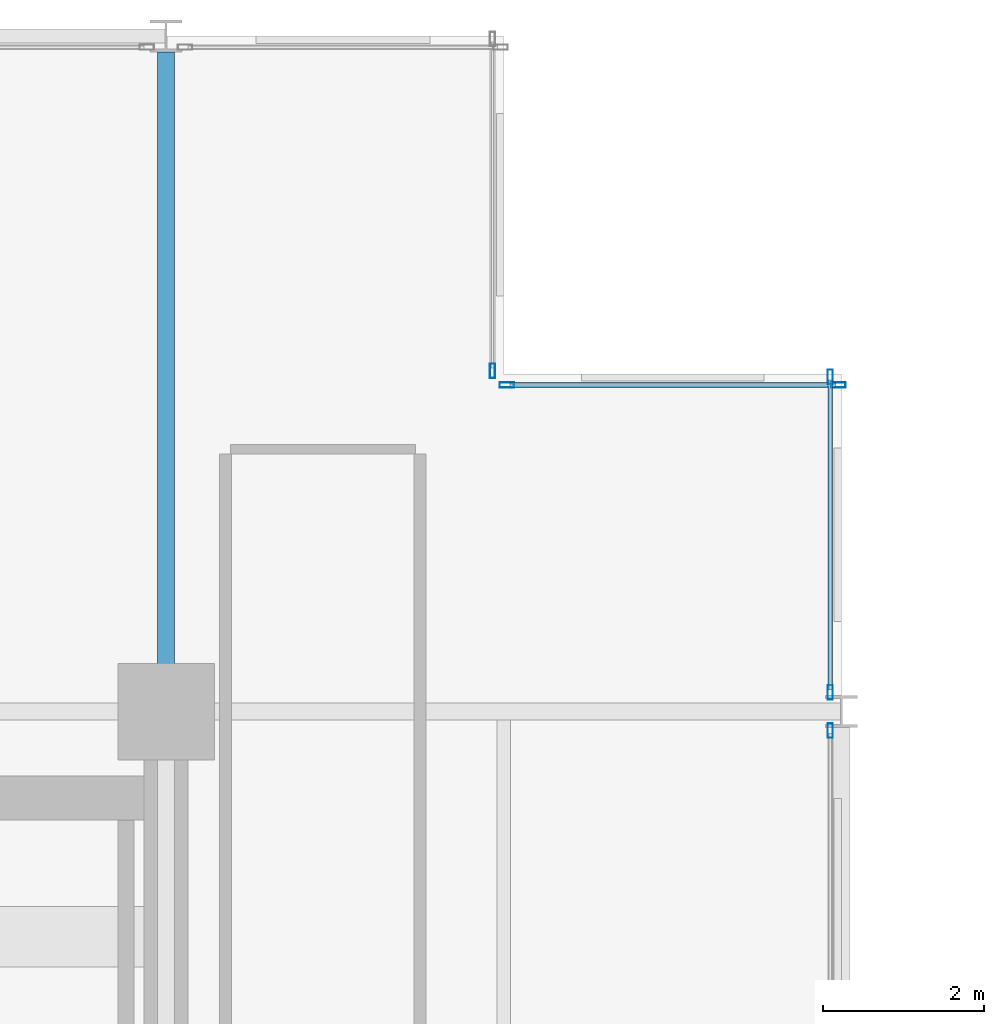
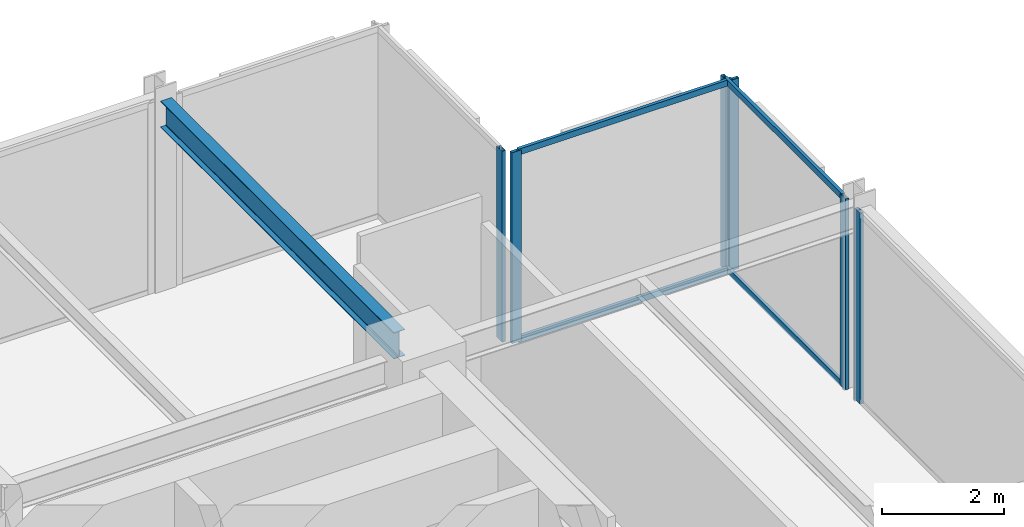
# One storey, part 28 of 38: 10 members, 1 beam, 4 elements without a shape of their own.
"""IFC4 building model written with IfcOpenShell, lengths in metres."""

from ifc_helpers import new_model, si_unit, direction, frame, origin, origin_2d, place, context, subcontext, project, spatial, hollow_rectangle, i_section, extrude, material, layer, layer_set, material_profile, profile_set, type_object, element, aggregate, save


model = new_model("IFC4")

# Units and contexts
model_context = context("Model", 3, precision=1e-05, world=origin(), true_north=direction((0.0, 1.0)))
body_context = subcontext(model_context, "Body", "Model", "MODEL_VIEW")
ifc_project = project(units=[si_unit("LENGTHUNIT", "METRE"), si_unit("AREAUNIT", "SQUARE_METRE"), si_unit("VOLUMEUNIT", "CUBIC_METRE"), si_unit("PLANEANGLEUNIT", "RADIAN"), si_unit("MASSUNIT", "GRAM", prefix="KILO")], contexts=[model_context])

# Site, building, storey
site_placement = place(None, origin())
site = spatial("IfcSite", under=ifc_project, at=site_placement, CompositionType="ELEMENT")
building_placement = place(site_placement, origin())
building = spatial("IfcBuilding", under=site, at=building_placement, Name="Nerrivon Quay Data Exchange", CompositionType="ELEMENT")
storey_placement = place(building_placement, frame((0.0, 0.0, 84.39990234375)))
storey = spatial("IfcBuildingStorey", under=building, at=storey_placement, Name="L19", CompositionType="ELEMENT", Elevation=84.39990234375)

# Beam
ifc_material_1 = material(Name="Steel Grade 350", Category="steel")
ifc_material_profile_1 = material_profile(ifc_material_1, i_section(OverallWidth=0.208984375, OverallDepth=0.528076171875, WebThickness=0.009521484375, FlangeThickness=0.01318359375, FilletRadius=0.013916015625, at=origin_2d()), Name="530UB82.0")
ifc_profile_set_1 = profile_set([ifc_material_profile_1], Name="Steel Grade 350")
beam_type = type_object("IfcBeamType", Name="BM-G4-530UB82", PredefinedType="BEAM", material=ifc_profile_set_1)
beam_placement = place(storey_placement, frame((16.800048828125, 42.5400390625, 3.56103515625), z_axis=(0.0, 1.0, 0.0), x_axis=(-1.0, 0.0, 0.0)))
element("IfcBeam", 1, at=beam_placement, inside=storey, type_object=beam_type, Name="L19 NS Girder X=16.8 (42.0..50.4)", PredefinedType="BEAM", context=body_context, shape_type="SweptSolid", body=[
    extrude(i_section(OverallWidth=0.208984375, OverallDepth=0.528076171875, WebThickness=0.009521484375, FlangeThickness=0.01318359375, FilletRadius=0.013916015625, at=origin_2d()), origin(), (0.0, 0.0, 1.0), 7.659912109375),
])

# Curtain wall, member
ifc_material_2 = material(Name="Anodised aluminium 6063-T6", Category="aluminium")
ifc_layer = layer(ifc_material_2, 0.2099609375)
ifc_layer_set = layer_set([ifc_layer], Name="Anodised aluminium 6063-T6")
curtain_wall_type = type_object("IfcCurtainWallType", Name="CW-SYS-02", PredefinedType="NOTDEFINED", material=ifc_layer_set)
curtain_wall_1_placement = place(storey_placement, origin())
curtain_wall_1 = element("IfcCurtainWall", 2, at=curtain_wall_1_placement, inside=storey, type_object=curtain_wall_type, Name="L19 Unitised Curtain Wall 27", PredefinedType="NOTDEFINED")
ifc_material_profile_2 = material_profile(ifc_material_2, hollow_rectangle(XDim=0.06494140625, YDim=0.179931640625, WallThickness=0.00341796875, at=origin_2d()), Name="ALU-MULL-180x65")
ifc_profile_set_2 = profile_set([ifc_material_profile_2], Name="Anodised aluminium 6063-T6")
member_type_1 = type_object("IfcMemberType", Name="CWM-180x65", PredefinedType="MULLION", material=ifc_profile_set_2)
member_1_placement = place(storey_placement, frame((20.860107421875, 46.237548828125, 0.0), z_axis=(0.0, 0.0, 1.0), x_axis=(1.0, 0.0, 0.0)))
member_1 = element("IfcMember", 3, at=member_1_placement, type_object=member_type_1, Name="CW02 mullion 2", PredefinedType="MULLION", context=body_context, shape_type="SweptSolid", body=[
    extrude(hollow_rectangle(XDim=0.06494140625, YDim=0.179931640625, WallThickness=0.00341796875, at=origin_2d()), origin(), (0.0, 0.0, 1.0), 3.8251953125),
])
aggregate(curtain_wall_1, [member_1])

# Curtain wall, members
curtain_wall_2_placement = place(storey_placement, origin())
curtain_wall_2 = element("IfcCurtainWall", 4, at=curtain_wall_2_placement, inside=storey, type_object=curtain_wall_type, Name="L19 Unitised Curtain Wall 28", PredefinedType="NOTDEFINED")
member_2_placement = place(storey_placement, frame((21.03759765625, 46.06005859375, 0.0), z_axis=(0.0, 0.0, 1.0), x_axis=(0.0, 1.0, 0.0)))
member_2 = element("IfcMember", 5, at=member_2_placement, type_object=member_type_1, Name="CW02 mullion 1", PredefinedType="MULLION", context=body_context, shape_type="SweptSolid", body=[
    extrude(hollow_rectangle(XDim=0.06494140625, YDim=0.179931640625, WallThickness=0.00341796875, at=origin_2d()), origin(), (0.0, 0.0, 1.0), 3.8251953125),
])
member_3_placement = place(storey_placement, frame((25.16259765625, 46.06005859375, 0.0), z_axis=(0.0, 0.0, 1.0), x_axis=(0.0, 1.0, 0.0)))
member_3 = element("IfcMember", 6, at=member_3_placement, type_object=member_type_1, Name="CW02 mullion 2", PredefinedType="MULLION", context=body_context, shape_type="SweptSolid", body=[
    extrude(hollow_rectangle(XDim=0.06494140625, YDim=0.179931640625, WallThickness=0.00341796875, at=origin_2d()), origin(), (0.0, 0.0, 1.0), 3.8251953125),
])

curtain_wall_3_placement = place(storey_placement, origin())
curtain_wall_3 = element("IfcCurtainWall", 7, at=curtain_wall_3_placement, inside=storey, type_object=curtain_wall_type, Name="L19 Unitised Curtain Wall 29", PredefinedType="NOTDEFINED")
member_4_placement = place(storey_placement, frame((25.06005859375, 46.16259765625, 0.0), z_axis=(0.0, 0.0, 1.0), x_axis=(1.0, 0.0, 0.0)))
member_4 = element("IfcMember", 8, at=member_4_placement, type_object=member_type_1, Name="CW02 mullion 1", PredefinedType="MULLION", context=body_context, shape_type="SweptSolid", body=[
    extrude(hollow_rectangle(XDim=0.06494140625, YDim=0.179931640625, WallThickness=0.00341796875, at=origin_2d()), origin(), (0.0, 0.0, 1.0), 3.8251953125),
])
member_5_placement = place(storey_placement, frame((25.06005859375, 42.237548828125, 0.0), z_axis=(0.0, 0.0, 1.0), x_axis=(1.0, 0.0, 0.0)))
member_5 = element("IfcMember", 9, at=member_5_placement, type_object=member_type_1, Name="CW02 mullion 2", PredefinedType="MULLION", context=body_context, shape_type="SweptSolid", body=[
    extrude(hollow_rectangle(XDim=0.06494140625, YDim=0.179931640625, WallThickness=0.00341796875, at=origin_2d()), origin(), (0.0, 0.0, 1.0), 3.8251953125),
])

# Curtain wall, member
curtain_wall_4_placement = place(storey_placement, origin())
curtain_wall_4 = element("IfcCurtainWall", 10, at=curtain_wall_4_placement, inside=storey, type_object=curtain_wall_type, Name="L19 Unitised Curtain Wall 30", PredefinedType="NOTDEFINED")
member_6_placement = place(storey_placement, frame((25.06005859375, 41.762451171875, 0.0), z_axis=(0.0, 0.0, 1.0), x_axis=(1.0, 0.0, 0.0)))
member_6 = element("IfcMember", 11, at=member_6_placement, type_object=member_type_1, Name="CW02 mullion 1", PredefinedType="MULLION", context=body_context, shape_type="SweptSolid", body=[
    extrude(hollow_rectangle(XDim=0.06494140625, YDim=0.179931640625, WallThickness=0.00341796875, at=origin_2d()), origin(), (0.0, 0.0, 1.0), 3.8251953125),
])
aggregate(curtain_wall_4, [member_6])

# Member
ifc_material_profile_3 = material_profile(ifc_material_2, hollow_rectangle(XDim=0.06005859375, YDim=0.1201171875, WallThickness=0.003173828125, at=origin_2d()), Name="ALU-TRAN-120x60")
ifc_profile_set_3 = profile_set([ifc_material_profile_3], Name="Anodised aluminium 6063-T6")
member_type_2 = type_object("IfcMemberType", Name="CWT-120x60", PredefinedType="USERDEFINED", material=ifc_profile_set_3)
member_7_placement = place(storey_placement, frame((21.074951171875, 46.06005859375, 0.03271484375), z_axis=(1.0, 0.0, 0.0), x_axis=(0.0, 1.0, 0.0)))
member_7 = element("IfcMember", 12, at=member_7_placement, type_object=member_type_2, Name="CW02 transom 1.1", ObjectType="TRANSOM", PredefinedType="USERDEFINED", context=body_context, shape_type="SweptSolid", body=[
    extrude(hollow_rectangle(XDim=0.06005859375, YDim=0.1201171875, WallThickness=0.003173828125, at=origin_2d()), origin(), (0.0, 0.0, 1.0), 4.050048828125),
])

member_8_placement = place(storey_placement, frame((21.074951171875, 46.06005859375, 3.79248046875), z_axis=(1.0, 0.0, 0.0), x_axis=(0.0, 1.0, 0.0)))
member_8 = element("IfcMember", 13, at=member_8_placement, type_object=member_type_2, Name="CW02 transom 1.2", ObjectType="TRANSOM", PredefinedType="USERDEFINED", context=body_context, shape_type="SweptSolid", body=[
    extrude(hollow_rectangle(XDim=0.06005859375, YDim=0.1201171875, WallThickness=0.003173828125, at=origin_2d()), origin(), (0.0, 0.0, 1.0), 4.050048828125),
])

aggregate(curtain_wall_2, [member_2, member_3, member_7, member_8])

member_9_placement = place(storey_placement, frame((25.06005859375, 46.125, 0.03271484375), z_axis=(0.0, -1.0, 0.0), x_axis=(1.0, 0.0, 0.0)))
member_9 = element("IfcMember", 14, at=member_9_placement, type_object=member_type_2, Name="CW02 transom 1.1", ObjectType="TRANSOM", PredefinedType="USERDEFINED", context=body_context, shape_type="SweptSolid", body=[
    extrude(hollow_rectangle(XDim=0.06005859375, YDim=0.1201171875, WallThickness=0.003173828125, at=origin_2d()), origin(), (0.0, 0.0, 1.0), 3.85009765625),
])

member_10_placement = place(storey_placement, frame((25.06005859375, 46.125, 3.79248046875), z_axis=(0.0, -1.0, 0.0), x_axis=(1.0, 0.0, 0.0)))
member_10 = element("IfcMember", 15, at=member_10_placement, type_object=member_type_2, Name="CW02 transom 1.2", ObjectType="TRANSOM", PredefinedType="USERDEFINED", context=body_context, shape_type="SweptSolid", body=[
    extrude(hollow_rectangle(XDim=0.06005859375, YDim=0.1201171875, WallThickness=0.003173828125, at=origin_2d()), origin(), (0.0, 0.0, 1.0), 3.85009765625),
])

aggregate(curtain_wall_3, [member_4, member_5, member_9, member_10])

save(model, "model.ifc")
